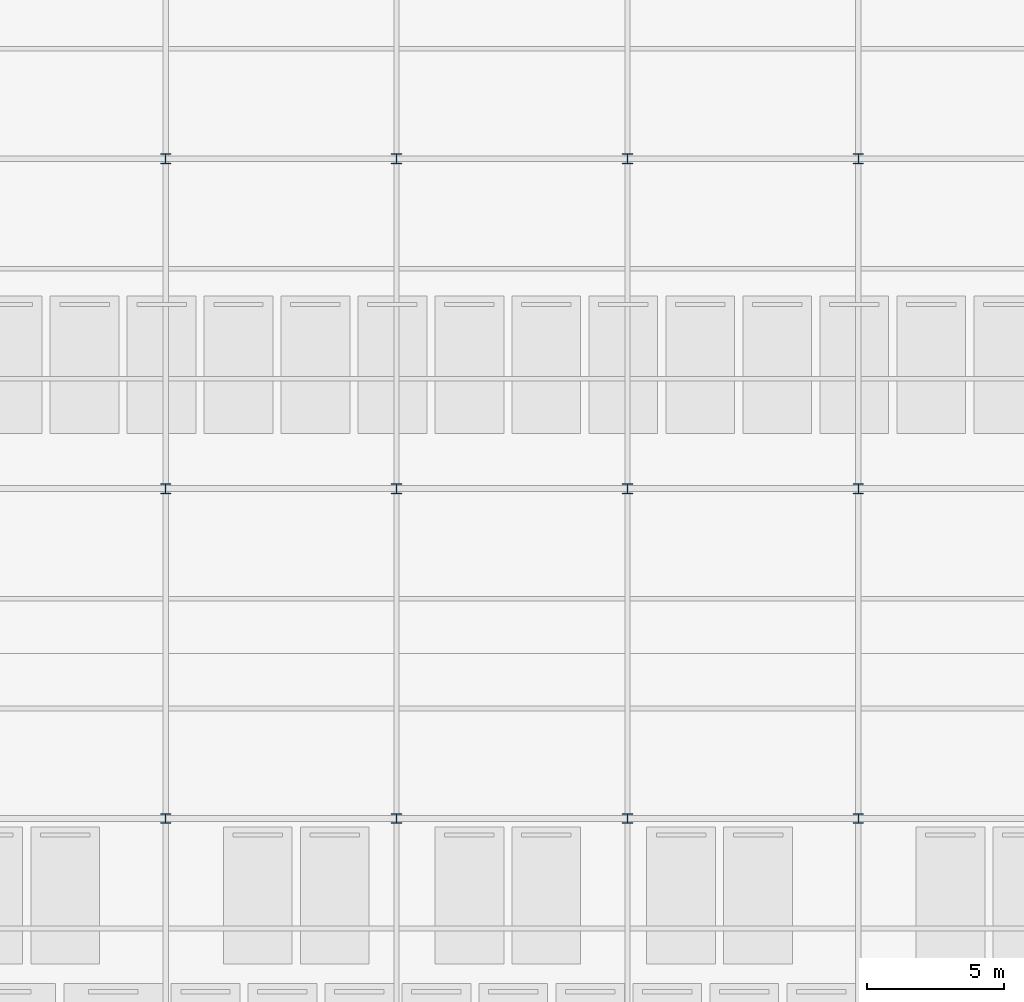
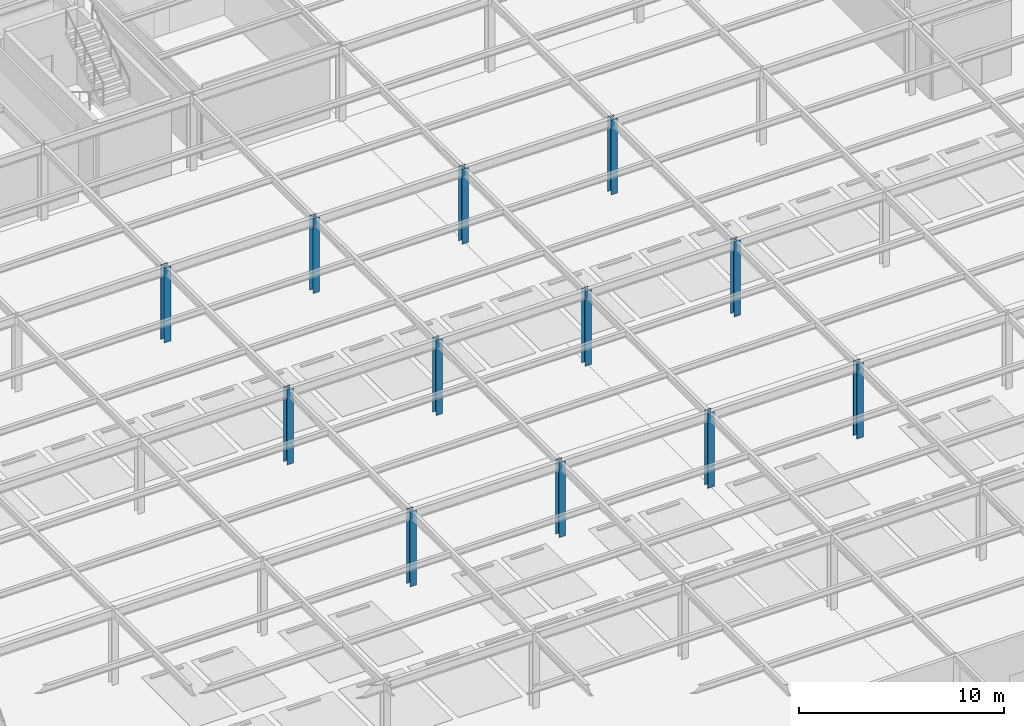
# One storey, part 4 of 82: 12 columns.
"""IFC4 building model written with IfcOpenShell, lengths in metres."""

import ifcopenshell
import ifcopenshell.guid

model = None  # the IFC model being written
_history = None  # IfcOwnerHistory: only IFC2X3 demands one
_inside = {}  # id of a spatial element -> (the spatial element, [elements in it])
_under = {}  # id of a project, library or spatial element -> (it, [spatial elements below it])
_declared = {}  # id of a project -> (the project, [libraries it declares])
_typed = {}  # id of a type object -> (the type object, [elements of that type])
_made_of = {}  # id of a material, layer set ... -> (it, [elements and type objects made of it])


def new_model(schema):
    """Start an empty IFC model of exactly this schema.

    Asked for "IFC4X3", IfcOpenShell would pick the latest addendum, in which some entities
    have other attributes; the version numbers below select the first issue.
    IFC2X3 requires an IfcOwnerHistory on every rooted entity: one is made here for all.
    """
    global model, _history
    if schema == "IFC4X3":
        model = ifcopenshell.file(schema_version=(4, 3, 0, 0))
    else:
        model = ifcopenshell.file(schema=schema)
    _inside.clear()
    _under.clear()
    _declared.clear()
    _typed.clear()
    _made_of.clear()
    _history = None
    if model.schema == "IFC2X3":
        org = make("IfcOrganization", Name="unknown")
        user = make(
            "IfcPersonAndOrganization",
            ThePerson=make("IfcPerson", FamilyName="unknown"),
            TheOrganization=org,
        )
        app = make(
            "IfcApplication",
            ApplicationDeveloper=org,
            Version="unknown",
            ApplicationFullName="unknown",
            ApplicationIdentifier="unknown",
        )
        _history = make(
            "IfcOwnerHistory",
            OwningUser=user,
            OwningApplication=app,
            ChangeAction="ADDED",
            CreationDate=0,
        )
    return model


def make(cls, **values):
    """One entity of the class cls with the attributes given. An attribute that is None is left unset."""
    return model.create_entity(
        cls, **{name: value for name, value in values.items() if value is not None}
    )


def rooted(cls, **values):
    """An entity with a GlobalId (a new one), such as an element, a storey or a relation."""
    return make(cls, GlobalId=ifcopenshell.guid.new(), OwnerHistory=_history, **values)


def si_unit(unit_type, name, prefix=None):
    """IfcSIUnit, for example si_unit("LENGTHUNIT", "METRE", prefix="MILLI")."""
    return make("IfcSIUnit", UnitType=unit_type, Prefix=prefix, Name=name)


def assignment(units):
    """IfcUnitAssignment: the units of a project."""
    return None if units is None else make("IfcUnitAssignment", Units=units)


def point(xyz):
    """IfcCartesianPoint."""
    return None if xyz is None else make("IfcCartesianPoint", Coordinates=xyz)


def direction(xyz):
    """IfcDirection."""
    return None if xyz is None else make("IfcDirection", DirectionRatios=xyz)


def frame(location, z_axis=None, x_axis=None):
    """IfcAxis2Placement3D, a coordinate frame: its origin and axes. An axis left out is left unset."""
    return make(
        "IfcAxis2Placement3D",
        Location=point(location),
        Axis=direction(z_axis),
        RefDirection=direction(x_axis),
    )


def frame_2d(location, x_axis=None):
    """IfcAxis2Placement2D, a coordinate frame in the plane: its origin and x axis."""
    return make(
        "IfcAxis2Placement2D", Location=point(location), RefDirection=direction(x_axis)
    )


def origin():
    """The frame at (0, 0, 0) with its axes left unset."""
    return frame((0.0, 0.0, 0.0))


def origin_2d():
    """The frame at (0, 0) in the plane with its x axis left unset."""
    return frame_2d((0.0, 0.0))


def place(relative_to, where):
    """IfcLocalPlacement: puts the frame where relative to a parent placement (None: the world)."""
    return make(
        "IfcLocalPlacement", PlacementRelTo=relative_to, RelativePlacement=where
    )


def context(
    kind, dimensions, precision=None, world=None, true_north=None, identifier=None
):
    """IfcGeometricRepresentationContext, for example the 3D "Model" context."""
    return make(
        "IfcGeometricRepresentationContext",
        ContextIdentifier=identifier,
        ContextType=kind,
        CoordinateSpaceDimension=dimensions,
        Precision=precision,
        WorldCoordinateSystem=world,
        TrueNorth=true_north,
    )


def subcontext(parent, identifier, kind, view, scale=None):
    """IfcGeometricRepresentationSubContext, for example "Body" below "Model"."""
    return make(
        "IfcGeometricRepresentationSubContext",
        ContextIdentifier=identifier,
        ContextType=kind,
        ParentContext=parent,
        TargetScale=scale,
        TargetView=view,
    )


def project(units=None, contexts=None):
    """IfcProject with its units and contexts."""
    return rooted(
        "IfcProject",
        Name="project",
        RepresentationContexts=contexts,
        UnitsInContext=assignment(units),
    )


def spatial(cls, under=None, at=None, **own):
    """A site, building, storey or space (cls), placed at a placement, below another one or the project."""
    s = rooted(cls, ObjectPlacement=at, **own)
    if under is not None:
        _under.setdefault(under.id(), (under, []))[1].append(s)
    return s


def profile(cls, at=None, kind="AREA", **sizes):
    """A parametric profile (cls). Its sizes go by their IFC names, for example OverallWidth=200.0."""
    return make(cls, ProfileType=kind, Position=at, **sizes)


def i_section(**sizes):
    """IfcIShapeProfileDef."""
    return profile("IfcIShapeProfileDef", **sizes)


def extrude(swept, where, along, depth):
    """IfcExtrudedAreaSolid: the profile swept, set in the frame where, extruded along a direction by depth."""
    return make(
        "IfcExtrudedAreaSolid",
        SweptArea=swept,
        Position=where,
        ExtrudedDirection=direction(along),
        Depth=depth,
    )


def shape(context_of_items, identifier, shape_type, items):
    """IfcShapeRepresentation: the items that make up one representation, for example the "Body"."""
    return make(
        "IfcShapeRepresentation",
        ContextOfItems=context_of_items,
        RepresentationIdentifier=identifier,
        RepresentationType=shape_type,
        Items=items,
    )


def material(Name=None, Category=None):
    """IfcMaterial."""
    return make("IfcMaterial", Name=Name, Category=Category)


def material_profile(
    of_material, cross_section, Name=None, Category=None, Priority=None
):
    """IfcMaterialProfile: a cross section and its material."""
    return make(
        "IfcMaterialProfile",
        Name=Name,
        Material=of_material,
        Profile=cross_section,
        Priority=Priority,
        Category=Category,
    )


def profile_set(profiles, Name=None, composite=None):
    """IfcMaterialProfileSet."""
    return make(
        "IfcMaterialProfileSet",
        Name=Name,
        MaterialProfiles=profiles,
        CompositeProfile=composite,
    )


def made_of(thing, what):
    """Note that an element or type object is made of a material, layer set ...; save() writes the relation."""
    if what is not None:
        _made_of.setdefault(what.id(), (what, []))[1].append(thing)
    return thing


def type_object(cls, material=None, **own):
    """A type object (cls), such as IfcWallType, which elements share."""
    return made_of(rooted(cls, **own), material)


def element(
    cls,
    number,
    at=None,
    inside=None,
    cuts=None,
    type_object=None,
    material=None,
    context=None,
    identifier="Body",
    shape_type=None,
    held_by="IfcProductDefinitionShape",
    body=None,
    shapes=None,
    **own,
):
    """One element of the class cls, such as IfcWall. Its Tag is "e" and its number.

    at: its placement. inside: the storey or other place that contains it. cuts: it is an
    opening in that element (IfcRelVoidsElement). A single representation is given by context,
    identifier, shape_type and body (its items); several are given by shapes. held_by: the class
    of the entity that holds the representations. save() writes the other relations.
    """
    e = rooted(cls, Tag="e%d" % number, ObjectPlacement=at, **own)
    if body is not None:
        shapes = [shape(context, identifier, shape_type, body)]
    if shapes is not None:
        e.Representation = make(held_by, Representations=shapes)
    if inside is not None:
        _inside.setdefault(inside.id(), (inside, []))[1].append(e)
    if cuts is not None:
        rooted(
            "IfcRelVoidsElement", RelatingBuildingElement=cuts, RelatedOpeningElement=e
        )
    if type_object is not None:
        _typed.setdefault(type_object.id(), (type_object, []))[1].append(e)
    return made_of(e, material)


def aggregate(whole, parts):
    """IfcRelAggregates: a whole, such as a stair, and the parts it consists of."""
    return rooted("IfcRelAggregates", RelatingObject=whole, RelatedObjects=parts)


def save(model, path):
    """Write the relations noted so far, then the file.

    IfcRelAggregates (storeys below a building ...), IfcRelContainedInSpatialStructure (elements
    in a storey), IfcRelDefinesByType, IfcRelAssociatesMaterial and IfcRelDeclares: one each for
    every whole, place, type object, material and project.
    """
    for whole, parts in _under.values():
        aggregate(whole, parts)
    for where, things in _inside.values():
        rooted(
            "IfcRelContainedInSpatialStructure",
            RelatedElements=things,
            RelatingStructure=where,
        )
    for kind, things in _typed.values():
        rooted("IfcRelDefinesByType", RelatedObjects=things, RelatingType=kind)
    for what, things in _made_of.values():
        rooted("IfcRelAssociatesMaterial", RelatedObjects=things, RelatingMaterial=what)
    for by, libraries in _declared.values():
        rooted("IfcRelDeclares", RelatingContext=by, RelatedDefinitions=libraries)
    model.write(path)


model = new_model("IFC4")

# Units and contexts
model_context = context("Model", 3, precision=1e-05, world=origin(), true_north=direction((0.0, 1.0)))
body_context = subcontext(model_context, "Body", "Model", "MODEL_VIEW")
ifc_project = project(units=[si_unit("LENGTHUNIT", "METRE"), si_unit("AREAUNIT", "SQUARE_METRE"), si_unit("VOLUMEUNIT", "CUBIC_METRE"), si_unit("PLANEANGLEUNIT", "RADIAN"), si_unit("MASSUNIT", "GRAM", prefix="KILO")], contexts=[model_context])

# Site, building, storey
site_placement = place(None, origin())
site = spatial("IfcSite", under=ifc_project, at=site_placement, CompositionType="ELEMENT")
building_placement = place(site_placement, origin())
building = spatial("IfcBuilding", under=site, at=building_placement, Name="Sitalva Quay Ferry Terminal", CompositionType="ELEMENT")
storey_placement = place(building_placement, frame((0.0, 0.0, 5.39990234375)))
storey = spatial("IfcBuildingStorey", under=building, at=storey_placement, Name="L02", CompositionType="ELEMENT", Elevation=5.39990234375)

# Columns
ifc_material = material(Name="Structural Steel S355JR", Category="steel")
ifc_material_profile = material_profile(ifc_material, i_section(OverallWidth=0.368896484375, OverallDepth=0.35595703125, WebThickness=0.01123046875, FlangeThickness=0.01806640625, FilletRadius=0.014892578125, at=origin_2d()), Name="W360x134")
ifc_profile_set = profile_set([ifc_material_profile], Name="Structural Steel S355JR")
column_type = type_object("IfcColumnType", Name="Col_W360x134", PredefinedType="COLUMN", material=ifc_profile_set)
for number, where, z_axis, x_axis, name in (
    (1, (109.199951171875, 42.0, 0.0), (0.0, 0.0, 1.0), (1.0, 0.0, 0.0), "L02 column 14F"),
    (2, (117.60009765625, 42.0, 0.0), (0.0, 0.0, 1.0), (1.0, 0.0, 0.0), "L02 column 15F"),
    (3, (126.0, 42.0, 0.0), (0.0, 0.0, 1.0), (1.0, 0.0, 0.0), "L02 column 16F"),
    (4, (134.39990234375, 42.0, 0.0), (0.0, 0.0, 1.0), (1.0, 0.0, 0.0), "L02 column 17F"),
    (5, (109.199951171875, 54.0, 0.0), (0.0, 0.0, 1.0), (1.0, 0.0, 0.0), "L02 column 14G"),
    (6, (117.60009765625, 54.0, 0.0), (0.0, 0.0, 1.0), (1.0, 0.0, 0.0), "L02 column 15G"),
    (7, (126.0, 54.0, 0.0), (0.0, 0.0, 1.0), (1.0, 0.0, 0.0), "L02 column 16G"),
    (8, (134.39990234375, 54.0, 0.0), (0.0, 0.0, 1.0), (1.0, 0.0, 0.0), "L02 column 17G"),
    (9, (109.199951171875, 66.0, 0.0), (0.0, 0.0, 1.0), (1.0, 0.0, 0.0), "L02 column 14H"),
    (10, (117.60009765625, 66.0, 0.0), (0.0, 0.0, 1.0), (1.0, 0.0, 0.0), "L02 column 15H"),
    (11, (126.0, 66.0, 0.0), (0.0, 0.0, 1.0), (1.0, 0.0, 0.0), "L02 column 16H"),
    (12, (134.39990234375, 66.0, 0.0), (0.0, 0.0, 1.0), (1.0, 0.0, 0.0), "L02 column 17H"),
):
    element("IfcColumn", number, at=place(storey_placement, frame(where, z_axis=z_axis, x_axis=x_axis)), inside=storey, type_object=column_type, Name=name, PredefinedType="COLUMN", context=body_context, shape_type="SweptSolid", body=[
        extrude(i_section(OverallWidth=0.368896484375, OverallDepth=0.35595703125, WebThickness=0.01123046875, FlangeThickness=0.01806640625, FilletRadius=0.014892578125, at=origin_2d()), origin(), (0.0, 0.0, 1.0), 4.4501953125),
    ])

save(model, "model.ifc")
